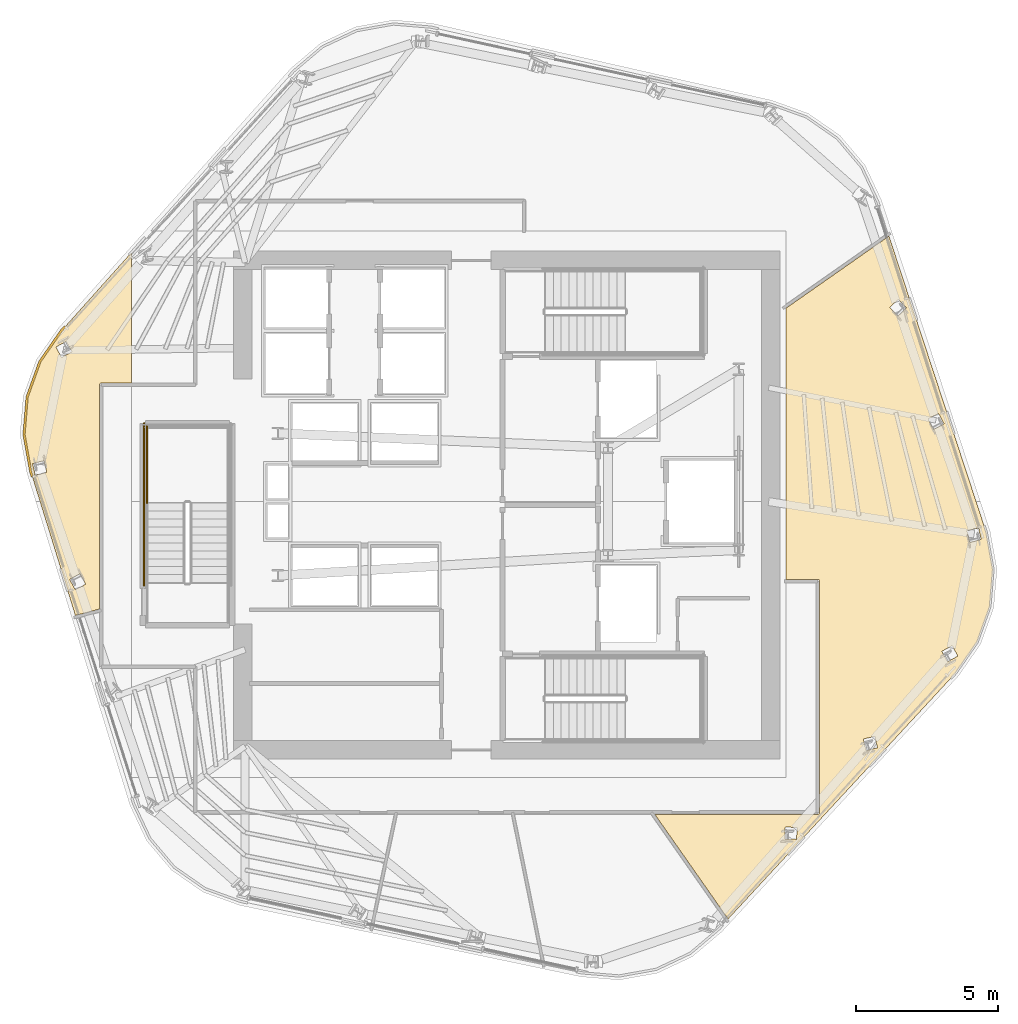
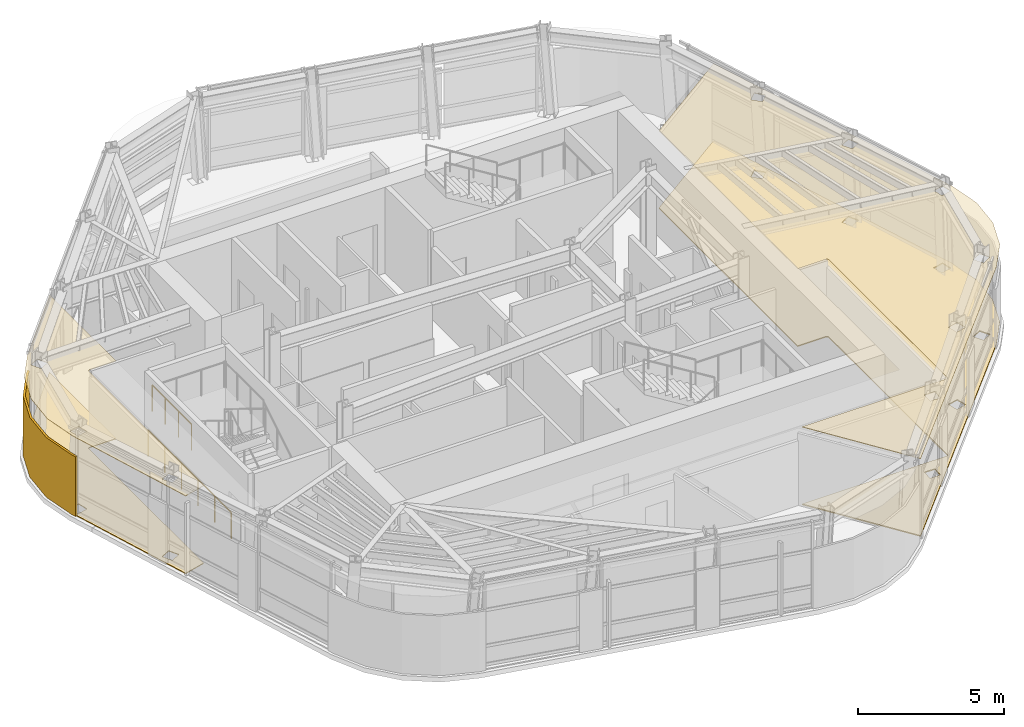
# One storey, part 11 of 13: 5 coverings, 2 railings.
"""IFC4 building model written with IfcOpenShell, lengths in metres."""

from ifc_helpers import new_model, si_unit, direction, frame, origin, origin_2d, place, context, subcontext, project, spatial, polyline, circle, outline, extrude, material, layer, layer_set, type_object, element, save


model = new_model("IFC4")

# Units and contexts
model_context = context("Model", 3, precision=1e-05, world=origin(), true_north=direction((0.0, 1.0)))
body_context = subcontext(model_context, "Body", "Model", "MODEL_VIEW")
ifc_project = project(units=[si_unit("LENGTHUNIT", "METRE"), si_unit("AREAUNIT", "SQUARE_METRE"), si_unit("VOLUMEUNIT", "CUBIC_METRE"), si_unit("PLANEANGLEUNIT", "RADIAN"), si_unit("MASSUNIT", "GRAM", prefix="KILO")], contexts=[model_context])

# Site, building, storey
site_placement = place(None, origin())
site = spatial("IfcSite", under=ifc_project, at=site_placement, CompositionType="ELEMENT")
building_placement = place(site_placement, origin())
building = spatial("IfcBuilding", under=site, at=building_placement, Name="Valkerne Bourse Tower", CompositionType="ELEMENT")
storey_placement = place(building_placement, frame((0.0, 0.0, 228.39990234375)))
storey = spatial("IfcBuildingStorey", under=building, at=storey_placement, Name="L58", CompositionType="ELEMENT", Elevation=228.39990234375)

# Coverings
ifc_material_1 = material(Name="Mineral Fiber Acoustic Ceiling Tile", Category="acoustic")
ifc_layer_1 = layer(ifc_material_1, 0.02490234375)
ifc_layer_set_1 = layer_set([ifc_layer_1], Name="Mineral Fiber Acoustic Ceiling Tile")
covering_type_1 = type_object("IfcCoveringType", Name="COV-CEIL-ACT", PredefinedType="CEILING", material=ifc_layer_set_1)
covering_1_placement = place(storey_placement, frame((0.0, 0.0, 3.25)))
element("IfcCovering", 1, at=covering_1_placement, inside=storey, type_object=covering_type_1, Name="L58 Suspended Ceiling 07", PredefinedType="CEILING", context=body_context, shape_type="SweptSolid", body=[
    extrude(outline(polyline([(63.3212890625, 22.05859375), (62.563232421875, 20.968017578125), (54.572998046875, 12.3310546875), (51.996337890625, 16.010986328125), (57.720703125, 16.010986328125), (57.7607421875, 16.024169921875), (57.784912109375, 16.056396484375), (57.7880859375, 24.2109375), (57.76611328125, 24.251708984375), (57.723388671875, 24.268798828125), (56.60009765625, 24.26904296875), (56.60009765625, 33.7900390625), (60.227294921875, 36.329833984375), (63.6435546875, 25.922607421875), (63.87890625, 24.615234375), (63.768310546875, 23.30029296875), (63.3212890625, 22.05859375)]), holes=[polyline([(56.995849609375, 15.547607421875), (56.584716796875, 15.5625), (56.5830078125, 15.56103515625), (56.568603515625, 15.147216796875), (56.97998046875, 15.13232421875), (56.981689453125, 15.1337890625), (56.995849609375, 15.547607421875)]), polyline([(59.824462890625, 18.34912109375), (59.725830078125, 18.751220703125), (59.326171875, 18.654052734375), (59.32470703125, 18.652099609375), (59.423583984375, 18.25), (59.8232421875, 18.347412109375), (59.824462890625, 18.34912109375)]), polyline([(62.647216796875, 21.571044921875), (62.44970703125, 21.934814453125), (62.087646484375, 21.7392578125), (62.0869140625, 21.737060546875), (62.284423828125, 21.373291015625), (62.646240234375, 21.568603515625), (62.647216796875, 21.571044921875)]), polyline([(63.46630859375, 25.669921875), (63.46630859375, 25.67236328125), (63.371826171875, 26.072509765625), (62.968505859375, 25.9775390625), (62.96826171875, 25.97509765625), (63.062744140625, 25.5751953125), (63.46630859375, 25.669921875)]), polyline([(62.162109375, 29.7353515625), (61.968994140625, 30.098388671875), (61.602783203125, 29.904296875), (61.603271484375, 29.902099609375), (61.79638671875, 29.5390625), (62.162353515625, 29.733154296875), (62.162109375, 29.7353515625)]), polyline([(60.839599609375, 33.80908203125), (60.55517578125, 34.106201171875), (60.255615234375, 33.81982421875), (60.256591796875, 33.81787109375), (60.541015625, 33.52099609375), (60.84033203125, 33.80712890625), (60.839599609375, 33.80908203125)])]), origin(), (0.0, 0.0, 1.0), 0.025146484375),
])
covering_2_placement = place(storey_placement, frame((0.0, 0.0, 3.25)))
element("IfcCovering", 2, at=covering_2_placement, inside=storey, type_object=covering_type_1, Name="L58 Suspended Ceiling 08", PredefinedType="CEILING", context=body_context, shape_type="SweptSolid", body=[
    extrude(outline(polyline([(29.945556640625, 30.6748046875), (30.392578125, 31.91650390625), (31.151611328125, 33.00830078125), (33.60009765625, 35.744140625), (33.60009765625, 31.1689453125), (32.54931640625, 31.1689453125), (32.50830078125, 31.1552734375), (32.48291015625, 31.116455078125), (32.48095703125, 23.224365234375), (31.637451171875, 22.998291015625), (30.07080078125, 28.05126953125), (29.835205078125, 29.35986328125), (29.945556640625, 30.6748046875)]), holes=[polyline([(31.99658203125, 24.097900390625), (31.8037109375, 24.4609375), (31.4375, 24.266845703125), (31.43798828125, 24.2646484375), (31.631103515625, 23.901611328125), (31.9970703125, 24.095703125), (31.99658203125, 24.097900390625)]), polyline([(30.631591796875, 28.02490234375), (30.537109375, 28.4248046875), (30.1337890625, 28.330078125), (30.1337890625, 28.32763671875), (30.228271484375, 27.927490234375), (30.631591796875, 28.0224609375), (30.631591796875, 28.02490234375)]), polyline([(31.51318359375, 32.262939453125), (31.315673828125, 32.626708984375), (30.95361328125, 32.431396484375), (30.952880859375, 32.428955078125), (31.150390625, 32.065185546875), (31.512451171875, 32.2607421875), (31.51318359375, 32.262939453125)])]), origin(), (0.0, 0.0, 1.0), 0.025146484375),
])
ifc_material_2 = material(Name="Bronze Anodised Aluminium AA 6063-T6", Category="aluminium")
ifc_layer_2 = layer(ifc_material_2, 0.06005859375)
ifc_layer_set_2 = layer_set([ifc_layer_2], Name="Bronze Anodised Aluminium AA 6063-T6")
covering_type_2 = type_object("IfcCoveringType", Name="COV-CRN-ALUM", PredefinedType="CLADDING", material=ifc_layer_set_2)
covering_3_placement = place(storey_placement, origin())
element("IfcCovering", 3, at=covering_3_placement, inside=storey, type_object=covering_type_2, Name="L58 Wind-Shaped Corner Aluminium Cladding 10", PredefinedType="CLADDING", context=body_context, shape_type="SweptSolid", body=[
    extrude(outline(polyline([(30.02783203125, 28.040771484375), (29.791015625, 29.35791015625), (29.902099609375, 30.684326171875), (30.353271484375, 31.936767578125), (31.116943359375, 33.03564453125), (31.24560546875, 33.17919921875), (31.3046875, 33.12548828125), (31.1796875, 32.98583984375), (30.4248046875, 31.899658203125), (29.981201171875, 30.6669921875), (29.87158203125, 29.36181640625), (30.105712890625, 28.059814453125), (30.1611328125, 27.880859375), (30.0849609375, 27.856689453125), (30.02783203125, 28.040771484375)])), origin(), (0.0, 0.0, 1.0), 2.5),
])
ifc_material_3 = material(Name="Galvanised Painted Steel", Category="steel")
ifc_layer_3 = layer(ifc_material_3, 0.044921875)
ifc_layer_set_3 = layer_set([ifc_layer_3], Name="Galvanised Painted Steel")
covering_type_3 = type_object("IfcCoveringType", Name="COV-FLR-RAF", PredefinedType="FLOORING", material=ifc_layer_set_3)
covering_4_placement = place(storey_placement, origin())
element("IfcCovering", 4, at=covering_4_placement, inside=storey, type_object=covering_type_3, Name="L58 Floor Finish 07", PredefinedType="FLOORING", context=body_context, shape_type="SweptSolid", body=[
    extrude(outline(polyline([(63.3212890625, 22.05859375), (62.563232421875, 20.968017578125), (54.572998046875, 12.3310546875), (51.996337890625, 16.010986328125), (57.720703125, 16.010986328125), (57.7607421875, 16.024169921875), (57.784912109375, 16.056396484375), (57.7880859375, 24.2109375), (57.76611328125, 24.251708984375), (57.723388671875, 24.268798828125), (56.60009765625, 24.26904296875), (56.60009765625, 33.7900390625), (60.227294921875, 36.329833984375), (63.6435546875, 25.922607421875), (63.87890625, 24.615234375), (63.768310546875, 23.30029296875), (63.3212890625, 22.05859375)]), holes=[polyline([(56.995849609375, 15.547607421875), (56.584716796875, 15.5625), (56.5830078125, 15.56103515625), (56.568603515625, 15.147216796875), (56.97998046875, 15.13232421875), (56.981689453125, 15.1337890625), (56.995849609375, 15.547607421875)]), polyline([(59.824462890625, 18.34912109375), (59.725830078125, 18.751220703125), (59.326171875, 18.654052734375), (59.32470703125, 18.652099609375), (59.423583984375, 18.25), (59.8232421875, 18.347412109375), (59.824462890625, 18.34912109375)]), polyline([(62.647216796875, 21.571044921875), (62.44970703125, 21.934814453125), (62.087646484375, 21.7392578125), (62.0869140625, 21.737060546875), (62.284423828125, 21.373291015625), (62.646240234375, 21.568603515625), (62.647216796875, 21.571044921875)]), polyline([(63.46630859375, 25.669921875), (63.46630859375, 25.67236328125), (63.371826171875, 26.072509765625), (62.968505859375, 25.9775390625), (62.96826171875, 25.97509765625), (63.062744140625, 25.5751953125), (63.46630859375, 25.669921875)]), polyline([(62.162109375, 29.7353515625), (61.968994140625, 30.098388671875), (61.602783203125, 29.904296875), (61.603271484375, 29.902099609375), (61.79638671875, 29.5390625), (62.162353515625, 29.733154296875), (62.162109375, 29.7353515625)]), polyline([(60.839599609375, 33.80908203125), (60.55517578125, 34.106201171875), (60.255615234375, 33.81982421875), (60.256591796875, 33.81787109375), (60.541015625, 33.52099609375), (60.84033203125, 33.80712890625), (60.839599609375, 33.80908203125)])]), origin(), (0.0, 0.0, 1.0), 0.045166015625),
])
ifc_material_4 = material(Name="Polished Granite Stone", Category="masonry")
ifc_layer_4 = layer(ifc_material_4, 0.030029296875)
ifc_layer_set_4 = layer_set([ifc_layer_4], Name="Polished Granite Stone")
covering_type_4 = type_object("IfcCoveringType", Name="COV-FLR-TERRAZZO", PredefinedType="FLOORING", material=ifc_layer_set_4)
covering_5_placement = place(storey_placement, origin())
element("IfcCovering", 5, at=covering_5_placement, inside=storey, type_object=covering_type_4, Name="L58 Floor Finish 08", PredefinedType="FLOORING", context=body_context, shape_type="SweptSolid", body=[
    extrude(outline(polyline([(29.945556640625, 30.6748046875), (30.392578125, 31.91650390625), (31.151611328125, 33.00830078125), (33.60009765625, 35.744140625), (33.60009765625, 31.1689453125), (32.54931640625, 31.1689453125), (32.50830078125, 31.1552734375), (32.48291015625, 31.116455078125), (32.48095703125, 23.224365234375), (31.637451171875, 22.998291015625), (30.07080078125, 28.05126953125), (29.835205078125, 29.35986328125), (29.945556640625, 30.6748046875)]), holes=[polyline([(31.99658203125, 24.097900390625), (31.8037109375, 24.4609375), (31.4375, 24.266845703125), (31.43798828125, 24.2646484375), (31.631103515625, 23.901611328125), (31.9970703125, 24.095703125), (31.99658203125, 24.097900390625)]), polyline([(30.631591796875, 28.02490234375), (30.537109375, 28.4248046875), (30.1337890625, 28.330078125), (30.1337890625, 28.32763671875), (30.228271484375, 27.927490234375), (30.631591796875, 28.0224609375), (30.631591796875, 28.02490234375)]), polyline([(31.51318359375, 32.262939453125), (31.315673828125, 32.626708984375), (30.95361328125, 32.431396484375), (30.952880859375, 32.428955078125), (31.150390625, 32.065185546875), (31.512451171875, 32.2607421875), (31.51318359375, 32.262939453125)])]), origin(), (0.0, 0.0, 1.0), 0.030029296875),
])

# Railings
railing_type = type_object("IfcRailingType", Name="RLG-ST-GUARD-1120", PredefinedType="GUARDRAIL", material=ifc_material_3)
railing_1_placement = place(storey_placement, frame((34.14990234375, 26.949951171875, 1.900146484375)))
element("IfcRailing", 6, at=railing_1_placement, inside=storey, type_object=railing_type, Name="L58 ST-3 stair guard 4", PredefinedType="GUARDRAIL", context=body_context, shape_type="SweptSolid", body=[
    extrude(circle(Radius=0.02392578125, at=origin_2d()), frame((0.0, 0.0, 1.09619140625), z_axis=(0.0, 1.0, 0.0), x_axis=(-1.0, 0.0, 0.0)), (0.0, 0.0, 1.0), 2.699951171875),
    extrude(circle(Radius=0.02099609375, at=origin_2d()), origin(), (0.0, 0.0, 1.0), 1.072021484375),
    extrude(circle(Radius=0.02099609375, at=origin_2d()), frame((0.0, 0.89990234375, 0.0)), (0.0, 0.0, 1.0), 1.072021484375),
    extrude(circle(Radius=0.02099609375, at=origin_2d()), frame((0.0, 1.800048828125, 0.0)), (0.0, 0.0, 1.0), 1.072021484375),
    extrude(circle(Radius=0.02099609375, at=origin_2d()), frame((0.0, 2.699951171875, 0.0)), (0.0, 0.0, 1.0), 1.072021484375),
])
railing_2_placement = place(storey_placement, frame((34.050048828125, 24.050048828125, 0.0)))
element("IfcRailing", 7, at=railing_2_placement, inside=storey, type_object=railing_type, Name="L58 ST-3 stair guard 11", PredefinedType="GUARDRAIL", context=body_context, shape_type="SweptSolid", body=[
    extrude(circle(Radius=0.02392578125, at=origin_2d()), frame((0.0, 0.0, 1.09619140625), z_axis=(0.0, 1.0, 0.0), x_axis=(-1.0, 0.0, 0.0)), (0.0, 0.0, 1.0), 5.699951171875),
    extrude(circle(Radius=0.02099609375, at=origin_2d()), origin(), (0.0, 0.0, 1.0), 1.072021484375),
    extrude(circle(Radius=0.02099609375, at=origin_2d()), frame((0.0, 1.139892578125, 0.0)), (0.0, 0.0, 1.0), 1.072021484375),
    extrude(circle(Radius=0.02099609375, at=origin_2d()), frame((0.0, 2.280029296875, 0.0)), (0.0, 0.0, 1.0), 1.072021484375),
    extrude(circle(Radius=0.02099609375, at=origin_2d()), frame((0.0, 3.419921875, 0.0)), (0.0, 0.0, 1.0), 1.072021484375),
    extrude(circle(Radius=0.02099609375, at=origin_2d()), frame((0.0, 4.56005859375, 0.0)), (0.0, 0.0, 1.0), 1.072021484375),
    extrude(circle(Radius=0.02099609375, at=origin_2d()), frame((0.0, 5.699951171875, 0.0)), (0.0, 0.0, 1.0), 1.072021484375),
])

save(model, "model.ifc")
